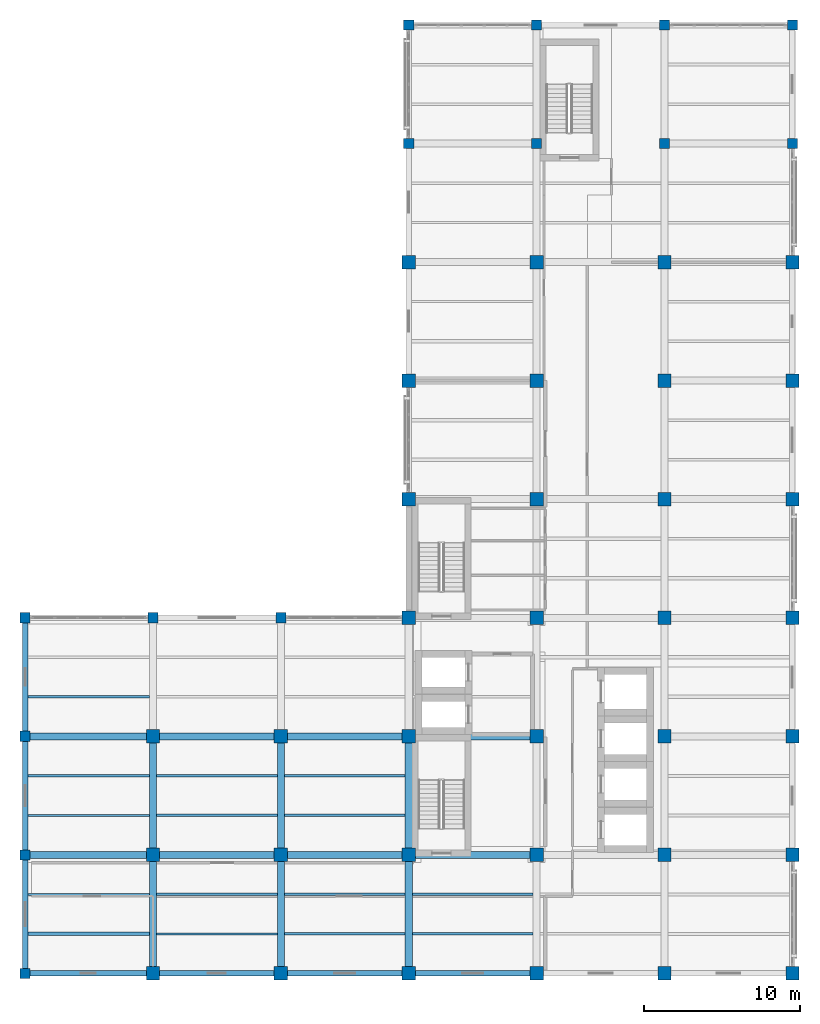
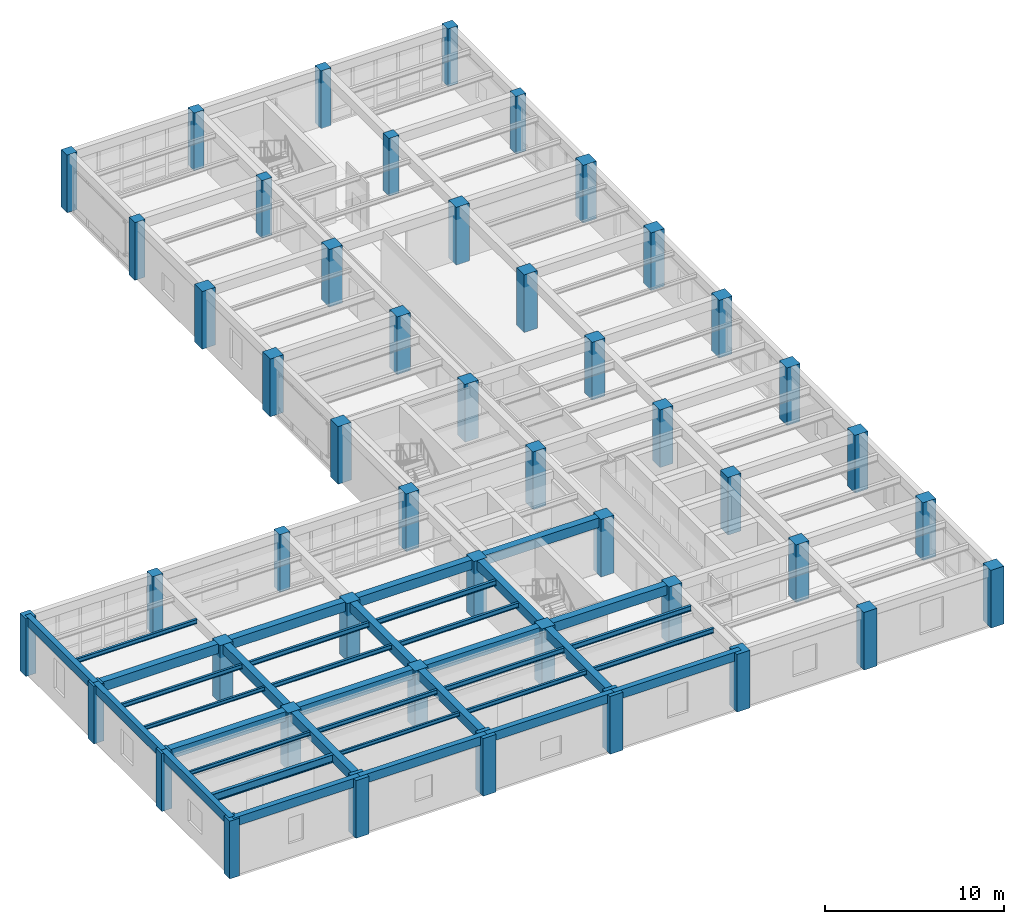
# One storey, part 1 of 17: 48 columns, 36 beams.
"""IFC4 building model written with IfcOpenShell, lengths in metres."""

from ifc_helpers import new_model, si_unit, direction, frame, origin, origin_2d, place, context, subcontext, project, spatial, rectangle, i_section, extrude, material, material_profile, profile_set, type_object, element, save


model = new_model("IFC4")

# Units and contexts
model_context = context("Model", 3, precision=1e-05, world=origin(), true_north=direction((0.0, 1.0)))
body_context = subcontext(model_context, "Body", "Model", "MODEL_VIEW")
ifc_project = project(units=[si_unit("LENGTHUNIT", "METRE"), si_unit("AREAUNIT", "SQUARE_METRE"), si_unit("VOLUMEUNIT", "CUBIC_METRE"), si_unit("PLANEANGLEUNIT", "RADIAN"), si_unit("MASSUNIT", "GRAM", prefix="KILO")], contexts=[model_context])

# Site, building, storey
site_placement = place(None, origin())
site = spatial("IfcSite", under=ifc_project, at=site_placement, CompositionType="ELEMENT")
building_placement = place(site_placement, origin())
building = spatial("IfcBuilding", under=site, at=building_placement, Name="Qandaris Square Conservatory and Botanical Centre", CompositionType="ELEMENT")
storey_placement = place(building_placement, frame((0.0, 0.0, 28.199951171875)))
storey = spatial("IfcBuildingStorey", under=building, at=storey_placement, Name="L06", CompositionType="ELEMENT", Elevation=28.199951171875)

# Columns
ifc_material_1 = material(Name="Concrete C50/60", Category="concrete")
ifc_material_profile_1 = material_profile(ifc_material_1, rectangle(XDim=0.64990234375, YDim=0.64990234375, at=origin_2d()), Name="RC-COL 650x650")
ifc_profile_set_1 = profile_set([ifc_material_profile_1], Name="Concrete C50/60")
column_type_1 = type_object("IfcColumnType", Name="RC Column 650x650", PredefinedType="COLUMN", material=ifc_profile_set_1)
for number, where, z_axis, x_axis, name in (
    (1, (114.60009765625, 16.60009765625, 0.0), (0.0, 0.0, 1.0), (1.0, 0.0, 0.0), "Column B14 (L06)"),
    (2, (114.60009765625, 24.199951171875, 0.0), (0.0, 0.0, 1.0), (1.0, 0.0, 0.0), "Column C14 (L06)"),
    (3, (114.60009765625, 31.800048828125, 0.0), (0.0, 0.0, 1.0), (1.0, 0.0, 0.0), "Column D14 (L06)"),
    (4, (114.60009765625, 39.39990234375, 0.0), (0.0, 0.0, 1.0), (1.0, 0.0, 0.0), "Column E14 (L06)"),
    (5, (122.800048828125, 39.39990234375, 0.0), (0.0, 0.0, 1.0), (1.0, 0.0, 0.0), "Column E15 (L06)"),
    (6, (131.0, 39.39990234375, 0.0), (0.0, 0.0, 1.0), (1.0, 0.0, 0.0), "Column E16 (L06)"),
    (7, (139.199951171875, 69.800048828125, 0.0), (0.0, 0.0, 1.0), (1.0, 0.0, 0.0), "Column J17 (L06)"),
    (8, (139.199951171875, 77.39990234375, 0.0), (0.0, 0.0, 1.0), (1.0, 0.0, 0.0), "Column K17 (L06)"),
    (9, (147.39990234375, 69.800048828125, 0.0), (0.0, 0.0, 1.0), (1.0, 0.0, 0.0), "Column J18 (L06)"),
    (10, (147.39990234375, 77.39990234375, 0.0), (0.0, 0.0, 1.0), (1.0, 0.0, 0.0), "Column K18 (L06)"),
    (11, (155.60009765625, 69.800048828125, 0.0), (0.0, 0.0, 1.0), (1.0, 0.0, 0.0), "Column J19 (L06)"),
    (12, (155.60009765625, 77.39990234375, 0.0), (0.0, 0.0, 1.0), (1.0, 0.0, 0.0), "Column K19 (L06)"),
    (13, (163.800048828125, 69.800048828125, 0.0), (0.0, 0.0, 1.0), (1.0, 0.0, 0.0), "Column J20 (L06)"),
    (14, (163.800048828125, 77.39990234375, 0.0), (0.0, 0.0, 1.0), (1.0, 0.0, 0.0), "Column K20 (L06)"),
):
    element("IfcColumn", number, at=place(storey_placement, frame(where, z_axis=z_axis, x_axis=x_axis)), inside=storey, type_object=column_type_1, Name=name, PredefinedType="COLUMN", context=body_context, shape_type="SweptSolid", body=[
        extrude(rectangle(XDim=0.64990234375, YDim=0.64990234375, at=origin_2d()), origin(), (0.0, 0.0, 1.0), 3.93994140625),
    ])
ifc_material_profile_2 = material_profile(ifc_material_1, rectangle(XDim=0.85009765625, YDim=0.85009765625, at=origin_2d()), Name="RC-COL 850x850")
ifc_profile_set_2 = profile_set([ifc_material_profile_2], Name="Concrete C50/60")
column_type_2 = type_object("IfcColumnType", Name="RC Column 850x850", PredefinedType="COLUMN", material=ifc_profile_set_2)
for number, where, z_axis, x_axis, name in (
    (15, (122.800048828125, 16.60009765625, 0.0), (0.0, 0.0, 1.0), (1.0, 0.0, 0.0), "Column B15 (L06)"),
    (16, (122.800048828125, 24.199951171875, 0.0), (0.0, 0.0, 1.0), (1.0, 0.0, 0.0), "Column C15 (L06)"),
    (17, (122.800048828125, 31.800048828125, 0.0), (0.0, 0.0, 1.0), (1.0, 0.0, 0.0), "Column D15 (L06)"),
    (18, (131.0, 16.60009765625, 0.0), (0.0, 0.0, 1.0), (1.0, 0.0, 0.0), "Column B16 (L06)"),
    (19, (131.0, 24.199951171875, 0.0), (0.0, 0.0, 1.0), (1.0, 0.0, 0.0), "Column C16 (L06)"),
    (20, (131.0, 31.800048828125, 0.0), (0.0, 0.0, 1.0), (1.0, 0.0, 0.0), "Column D16 (L06)"),
    (21, (139.199951171875, 16.60009765625, 0.0), (0.0, 0.0, 1.0), (1.0, 0.0, 0.0), "Column B17 (L06)"),
    (22, (139.199951171875, 24.199951171875, 0.0), (0.0, 0.0, 1.0), (1.0, 0.0, 0.0), "Column C17 (L06)"),
    (23, (139.199951171875, 31.800048828125, 0.0), (0.0, 0.0, 1.0), (1.0, 0.0, 0.0), "Column D17 (L06)"),
    (24, (139.199951171875, 39.39990234375, 0.0), (0.0, 0.0, 1.0), (1.0, 0.0, 0.0), "Column E17 (L06)"),
    (25, (139.199951171875, 47.0, 0.0), (0.0, 0.0, 1.0), (1.0, 0.0, 0.0), "Column F17 (L06)"),
    (26, (139.199951171875, 54.60009765625, 0.0), (0.0, 0.0, 1.0), (1.0, 0.0, 0.0), "Column G17 (L06)"),
    (27, (139.199951171875, 62.199951171875, 0.0), (0.0, 0.0, 1.0), (1.0, 0.0, 0.0), "Column H17 (L06)"),
    (28, (147.39990234375, 16.60009765625, 0.0), (0.0, 0.0, 1.0), (1.0, 0.0, 0.0), "Column B18 (L06)"),
    (29, (147.39990234375, 24.199951171875, 0.0), (0.0, 0.0, 1.0), (1.0, 0.0, 0.0), "Column C18 (L06)"),
    (30, (147.39990234375, 31.800048828125, 0.0), (0.0, 0.0, 1.0), (1.0, 0.0, 0.0), "Column D18 (L06)"),
    (31, (147.39990234375, 39.39990234375, 0.0), (0.0, 0.0, 1.0), (1.0, 0.0, 0.0), "Column E18 (L06)"),
    (32, (147.39990234375, 47.0, 0.0), (0.0, 0.0, 1.0), (1.0, 0.0, 0.0), "Column F18 (L06)"),
    (33, (147.39990234375, 54.60009765625, 0.0), (0.0, 0.0, 1.0), (1.0, 0.0, 0.0), "Column G18 (L06)"),
    (34, (147.39990234375, 62.199951171875, 0.0), (0.0, 0.0, 1.0), (1.0, 0.0, 0.0), "Column H18 (L06)"),
    (35, (155.60009765625, 16.60009765625, 0.0), (0.0, 0.0, 1.0), (1.0, 0.0, 0.0), "Column B19 (L06)"),
    (36, (155.60009765625, 24.199951171875, 0.0), (0.0, 0.0, 1.0), (1.0, 0.0, 0.0), "Column C19 (L06)"),
    (37, (155.60009765625, 31.800048828125, 0.0), (0.0, 0.0, 1.0), (1.0, 0.0, 0.0), "Column D19 (L06)"),
    (38, (155.60009765625, 39.39990234375, 0.0), (0.0, 0.0, 1.0), (1.0, 0.0, 0.0), "Column E19 (L06)"),
    (39, (155.60009765625, 47.0, 0.0), (0.0, 0.0, 1.0), (1.0, 0.0, 0.0), "Column F19 (L06)"),
    (40, (155.60009765625, 54.60009765625, 0.0), (0.0, 0.0, 1.0), (1.0, 0.0, 0.0), "Column G19 (L06)"),
    (41, (155.60009765625, 62.199951171875, 0.0), (0.0, 0.0, 1.0), (1.0, 0.0, 0.0), "Column H19 (L06)"),
    (42, (163.800048828125, 16.60009765625, 0.0), (0.0, 0.0, 1.0), (1.0, 0.0, 0.0), "Column B20 (L06)"),
    (43, (163.800048828125, 24.199951171875, 0.0), (0.0, 0.0, 1.0), (1.0, 0.0, 0.0), "Column C20 (L06)"),
    (44, (163.800048828125, 31.800048828125, 0.0), (0.0, 0.0, 1.0), (1.0, 0.0, 0.0), "Column D20 (L06)"),
    (45, (163.800048828125, 39.39990234375, 0.0), (0.0, 0.0, 1.0), (1.0, 0.0, 0.0), "Column E20 (L06)"),
    (46, (163.800048828125, 47.0, 0.0), (0.0, 0.0, 1.0), (1.0, 0.0, 0.0), "Column F20 (L06)"),
    (47, (163.800048828125, 54.60009765625, 0.0), (0.0, 0.0, 1.0), (1.0, 0.0, 0.0), "Column G20 (L06)"),
    (48, (163.800048828125, 62.199951171875, 0.0), (0.0, 0.0, 1.0), (1.0, 0.0, 0.0), "Column H20 (L06)"),
):
    element("IfcColumn", number, at=place(storey_placement, frame(where, z_axis=z_axis, x_axis=x_axis)), inside=storey, type_object=column_type_2, Name=name, PredefinedType="COLUMN", context=body_context, shape_type="SweptSolid", body=[
        extrude(rectangle(XDim=0.85009765625, YDim=0.85009765625, at=origin_2d()), origin(), (0.0, 0.0, 1.0), 3.93994140625),
    ])

# Beams
ifc_material_2 = material(Name="Steel S355", Category="steel")
ifc_material_profile_3 = material_profile(ifc_material_2, i_section(OverallWidth=0.14990234375, OverallDepth=0.300048828125, WebThickness=0.007080078125, FlangeThickness=0.0107421875, FilletRadius=0.014892578125, at=origin_2d()), Name="IPE 300")
ifc_profile_set_3 = profile_set([ifc_material_profile_3], Name="Steel S355")
beam_type_1 = type_object("IfcBeamType", Name="Composite Lab Joist IPE 300", PredefinedType="JOIST", material=ifc_profile_set_3)
for number, where, z_axis, x_axis, name in (
    (49, (114.77490234375, 29.2666015625, 3.780029296875), (1.0, 0.0, 0.0), (0.0, 1.0, 0.0), "L06 Composite Joist 2037"),
    (50, (114.77490234375, 34.333251953125, 3.780029296875), (1.0, 0.0, 0.0), (0.0, 1.0, 0.0), "L06 Composite Joist 2038"),
):
    element("IfcBeam", number, at=place(storey_placement, frame(where, z_axis=z_axis, x_axis=x_axis)), inside=storey, type_object=beam_type_1, Name=name, PredefinedType="JOIST", context=body_context, shape_type="SweptSolid", body=[
        extrude(i_section(OverallWidth=0.14990234375, OverallDepth=0.300048828125, WebThickness=0.007080078125, FlangeThickness=0.0107421875, FilletRadius=0.014892578125, at=origin_2d()), origin(), (0.0, 0.0, 1.0), 7.800048828125),
    ])
for number, where, z_axis, x_axis, name in (
    (51, (123.02490234375, 21.666748046875, 3.780029296875), (1.0, 0.0, 0.0), (0.0, 1.0, 0.0), "L06 Composite Joist 2041"),
    (52, (123.02490234375, 26.7333984375, 3.780029296875), (1.0, 0.0, 0.0), (0.0, 1.0, 0.0), "L06 Composite Joist 2042"),
    (53, (131.22509765625, 19.13330078125, 3.780029296875), (1.0, 0.0, 0.0), (0.0, 1.0, 0.0), "L06 Composite Joist 2046"),
):
    element("IfcBeam", number, at=place(storey_placement, frame(where, z_axis=z_axis, x_axis=x_axis)), inside=storey, type_object=beam_type_1, Name=name, PredefinedType="JOIST", context=body_context, shape_type="SweptSolid", body=[
        extrude(i_section(OverallWidth=0.14990234375, OverallDepth=0.300048828125, WebThickness=0.007080078125, FlangeThickness=0.0107421875, FilletRadius=0.014892578125, at=origin_2d()), origin(), (0.0, 0.0, 1.0), 7.75),
    ])
ifc_material_profile_4 = material_profile(ifc_material_2, i_section(OverallWidth=0.159912109375, OverallDepth=0.330078125, WebThickness=0.007568359375, FlangeThickness=0.011474609375, FilletRadius=0.01806640625, at=origin_2d()), Name="IPE 330")
ifc_profile_set_4 = profile_set([ifc_material_profile_4], Name="Steel S355")
beam_type_2 = type_object("IfcBeamType", Name="Composite Lab Joist IPE 330", PredefinedType="JOIST", material=ifc_profile_set_4)
for number, where, z_axis, x_axis, name in (
    (54, (123.02490234375, 29.2666015625, 3.76513671875), (1.0, 0.0, 0.0), (0.0, 1.0, 0.0), "L06 Composite Joist 2043"),
    (55, (131.22509765625, 21.666748046875, 3.76513671875), (1.0, 0.0, 0.0), (0.0, 1.0, 0.0), "L06 Composite Joist 2047"),
    (56, (131.22509765625, 26.7333984375, 3.76513671875), (1.0, 0.0, 0.0), (0.0, 1.0, 0.0), "L06 Composite Joist 2048"),
    (57, (139.425048828125, 19.13330078125, 3.76513671875), (1.0, 0.0, 0.0), (0.0, 1.0, 0.0), "L06 Composite Joist 2052"),
):
    element("IfcBeam", number, at=place(storey_placement, frame(where, z_axis=z_axis, x_axis=x_axis)), inside=storey, type_object=beam_type_2, Name=name, PredefinedType="JOIST", context=body_context, shape_type="SweptSolid", body=[
        extrude(i_section(OverallWidth=0.159912109375, OverallDepth=0.330078125, WebThickness=0.007568359375, FlangeThickness=0.011474609375, FilletRadius=0.01806640625, at=origin_2d()), origin(), (0.0, 0.0, 1.0), 7.75),
    ])
ifc_material_profile_5 = material_profile(ifc_material_2, i_section(OverallWidth=0.169921875, OverallDepth=0.360107421875, WebThickness=0.008056640625, FlangeThickness=0.0126953125, FilletRadius=0.01806640625, at=origin_2d()), Name="IPE 360")
ifc_profile_set_5 = profile_set([ifc_material_profile_5], Name="Steel S355")
beam_type_3 = type_object("IfcBeamType", Name="Composite Lab Joist IPE 360", PredefinedType="JOIST", material=ifc_profile_set_5)
for number, where, z_axis, x_axis, name in (
    (58, (131.22509765625, 29.2666015625, 3.75), (1.0, 0.0, 0.0), (0.0, 1.0, 0.0), "L06 Composite Joist 2049"),
    (59, (139.425048828125, 21.666748046875, 3.75), (1.0, 0.0, 0.0), (0.0, 1.0, 0.0), "L06 Composite Joist 2053"),
):
    element("IfcBeam", number, at=place(storey_placement, frame(where, z_axis=z_axis, x_axis=x_axis)), inside=storey, type_object=beam_type_3, Name=name, PredefinedType="JOIST", context=body_context, shape_type="SweptSolid", body=[
        extrude(i_section(OverallWidth=0.169921875, OverallDepth=0.360107421875, WebThickness=0.008056640625, FlangeThickness=0.0126953125, FilletRadius=0.01806640625, at=origin_2d()), origin(), (0.0, 0.0, 1.0), 7.75),
    ])
ifc_material_profile_6 = material_profile(ifc_material_2, i_section(OverallWidth=0.2099609375, OverallDepth=0.550048828125, WebThickness=0.010986328125, FlangeThickness=0.01708984375, FilletRadius=0.02392578125, at=origin_2d()), Name="IPE 550")
ifc_profile_set_6 = profile_set([ifc_material_profile_6], Name="Steel S355")
beam_type_4 = type_object("IfcBeamType", Name="Long-Span Foyer Joist IPE 550", PredefinedType="JOIST", material=ifc_profile_set_6)
beam_1_placement = place(storey_placement, frame((114.77490234375, 19.13330078125, 3.655029296875), z_axis=(1.0, 0.0, 0.0), x_axis=(0.0, 1.0, 0.0)))
element("IfcBeam", 60, at=beam_1_placement, inside=storey, type_object=beam_type_4, Name="L06 Composite Joist 2034", PredefinedType="JOIST", context=body_context, shape_type="SweptSolid", body=[
    extrude(i_section(OverallWidth=0.2099609375, OverallDepth=0.550048828125, WebThickness=0.010986328125, FlangeThickness=0.01708984375, FilletRadius=0.02392578125, at=origin_2d()), origin(), (0.0, 0.0, 1.0), 7.800048828125),
])
ifc_material_profile_7 = material_profile(ifc_material_1, rectangle(XDim=0.35009765625, YDim=0.60009765625, at=origin_2d()), Name="RC-SP 350x600")
ifc_profile_set_7 = profile_set([ifc_material_profile_7], Name="Concrete C50/60")
beam_type_5 = type_object("IfcBeamType", Name="RC Edge Spandrel Beam 350x600", PredefinedType="SPANDREL", material=ifc_profile_set_7)
for number, where, z_axis, x_axis, name in (
    (61, (114.60009765625, 16.60009765625, 3.64013671875), (1.0, 0.0, 0.0), (0.0, 1.0, 0.0), "L06 Frame Beam 1957"),
    (62, (122.800048828125, 16.60009765625, 3.64013671875), (1.0, 0.0, 0.0), (0.0, 1.0, 0.0), "L06 Frame Beam 1958"),
    (63, (131.0, 16.60009765625, 3.64013671875), (1.0, 0.0, 0.0), (0.0, 1.0, 0.0), "L06 Frame Beam 1959"),
    (64, (139.199951171875, 16.60009765625, 3.64013671875), (1.0, 0.0, 0.0), (0.0, 1.0, 0.0), "L06 Frame Beam 1960"),
):
    element("IfcBeam", number, at=place(storey_placement, frame(where, z_axis=z_axis, x_axis=x_axis)), inside=storey, type_object=beam_type_5, Name=name, PredefinedType="SPANDREL", context=body_context, shape_type="SweptSolid", body=[
        extrude(rectangle(XDim=0.35009765625, YDim=0.60009765625, at=origin_2d()), origin(), (0.0, 0.0, 1.0), 8.199951171875),
    ])
beam_2_placement = place(storey_placement, frame((114.60009765625, 16.60009765625, 3.64013671875), z_axis=(0.0, 1.0, 0.0), x_axis=(-1.0, 0.0, 0.0)))
element("IfcBeam", 65, at=beam_2_placement, inside=storey, type_object=beam_type_5, Name="L06 Frame Beam 1993", PredefinedType="SPANDREL", context=body_context, shape_type="SweptSolid", body=[
    extrude(rectangle(XDim=0.35009765625, YDim=0.60009765625, at=origin_2d()), origin(), (0.0, 0.0, 1.0), 7.599853515625),
])
beam_3_placement = place(storey_placement, frame((114.60009765625, 24.199951171875, 3.64013671875), z_axis=(0.0, 1.0, 0.0), x_axis=(-1.0, 0.0, 0.0)))
element("IfcBeam", 66, at=beam_3_placement, inside=storey, type_object=beam_type_5, Name="L06 Frame Beam 1994", PredefinedType="SPANDREL", context=body_context, shape_type="SweptSolid", body=[
    extrude(rectangle(XDim=0.35009765625, YDim=0.60009765625, at=origin_2d()), origin(), (0.0, 0.0, 1.0), 7.60009765625),
])
beam_4_placement = place(storey_placement, frame((114.60009765625, 31.800048828125, 3.64013671875), z_axis=(0.0, 1.0, 0.0), x_axis=(-1.0, 0.0, 0.0)))
element("IfcBeam", 67, at=beam_4_placement, inside=storey, type_object=beam_type_5, Name="L06 Frame Beam 1995", PredefinedType="SPANDREL", context=body_context, shape_type="SweptSolid", body=[
    extrude(rectangle(XDim=0.35009765625, YDim=0.60009765625, at=origin_2d()), origin(), (0.0, 0.0, 1.0), 7.599853515625),
])
ifc_material_profile_8 = material_profile(ifc_material_1, rectangle(XDim=0.449951171875, YDim=0.64990234375, at=origin_2d()), Name="RC-BM 450x650")
ifc_profile_set_8 = profile_set([ifc_material_profile_8], Name="Concrete C50/60")
beam_type_6 = type_object("IfcBeamType", Name="RC Floor Girder 450x650", PredefinedType="BEAM", material=ifc_profile_set_8)
for number, where, z_axis, x_axis, name in (
    (68, (114.60009765625, 24.199951171875, 3.614990234375), (1.0, 0.0, 0.0), (0.0, 1.0, 0.0), "L06 Frame Beam 1963"),
    (69, (122.800048828125, 24.199951171875, 3.614990234375), (1.0, 0.0, 0.0), (0.0, 1.0, 0.0), "L06 Frame Beam 1964"),
    (70, (131.0, 24.199951171875, 3.614990234375), (1.0, 0.0, 0.0), (0.0, 1.0, 0.0), "L06 Frame Beam 1965"),
    (71, (139.199951171875, 24.199951171875, 3.614990234375), (1.0, 0.0, 0.0), (0.0, 1.0, 0.0), "L06 Frame Beam 1966"),
    (72, (114.60009765625, 31.800048828125, 3.614990234375), (1.0, 0.0, 0.0), (0.0, 1.0, 0.0), "L06 Frame Beam 1969"),
    (73, (122.800048828125, 31.800048828125, 3.614990234375), (1.0, 0.0, 0.0), (0.0, 1.0, 0.0), "L06 Frame Beam 1970"),
    (74, (131.0, 31.800048828125, 3.614990234375), (1.0, 0.0, 0.0), (0.0, 1.0, 0.0), "L06 Frame Beam 1971"),
    (75, (139.199951171875, 31.800048828125, 3.614990234375), (1.0, 0.0, 0.0), (0.0, 1.0, 0.0), "L06 Frame Beam 1972"),
):
    element("IfcBeam", number, at=place(storey_placement, frame(where, z_axis=z_axis, x_axis=x_axis)), inside=storey, type_object=beam_type_6, Name=name, PredefinedType="BEAM", context=body_context, shape_type="SweptSolid", body=[
        extrude(rectangle(XDim=0.449951171875, YDim=0.64990234375, at=origin_2d()), origin(), (0.0, 0.0, 1.0), 8.199951171875),
    ])
beam_5_placement = place(storey_placement, frame((122.800048828125, 16.60009765625, 3.614990234375), z_axis=(0.0, 1.0, 0.0), x_axis=(-1.0, 0.0, 0.0)))
element("IfcBeam", 76, at=beam_5_placement, inside=storey, type_object=beam_type_6, Name="L06 Frame Beam 1996", PredefinedType="BEAM", context=body_context, shape_type="SweptSolid", body=[
    extrude(rectangle(XDim=0.449951171875, YDim=0.64990234375, at=origin_2d()), origin(), (0.0, 0.0, 1.0), 7.599853515625),
])
beam_6_placement = place(storey_placement, frame((122.800048828125, 24.199951171875, 3.614990234375), z_axis=(0.0, 1.0, 0.0), x_axis=(-1.0, 0.0, 0.0)))
element("IfcBeam", 77, at=beam_6_placement, inside=storey, type_object=beam_type_6, Name="L06 Frame Beam 1997", PredefinedType="BEAM", context=body_context, shape_type="SweptSolid", body=[
    extrude(rectangle(XDim=0.449951171875, YDim=0.64990234375, at=origin_2d()), origin(), (0.0, 0.0, 1.0), 7.60009765625),
])
beam_7_placement = place(storey_placement, frame((131.0, 16.60009765625, 3.614990234375), z_axis=(0.0, 1.0, 0.0), x_axis=(-1.0, 0.0, 0.0)))
element("IfcBeam", 78, at=beam_7_placement, inside=storey, type_object=beam_type_6, Name="L06 Frame Beam 1999", PredefinedType="BEAM", context=body_context, shape_type="SweptSolid", body=[
    extrude(rectangle(XDim=0.449951171875, YDim=0.64990234375, at=origin_2d()), origin(), (0.0, 0.0, 1.0), 7.599853515625),
])
beam_8_placement = place(storey_placement, frame((131.0, 24.199951171875, 3.614990234375), z_axis=(0.0, 1.0, 0.0), x_axis=(-1.0, 0.0, 0.0)))
element("IfcBeam", 79, at=beam_8_placement, inside=storey, type_object=beam_type_6, Name="L06 Frame Beam 2000", PredefinedType="BEAM", context=body_context, shape_type="SweptSolid", body=[
    extrude(rectangle(XDim=0.449951171875, YDim=0.64990234375, at=origin_2d()), origin(), (0.0, 0.0, 1.0), 7.60009765625),
])
beam_9_placement = place(storey_placement, frame((139.199951171875, 16.60009765625, 3.614990234375), z_axis=(0.0, 1.0, 0.0), x_axis=(-1.0, 0.0, 0.0)))
element("IfcBeam", 80, at=beam_9_placement, inside=storey, type_object=beam_type_6, Name="L06 Frame Beam 2002", PredefinedType="BEAM", context=body_context, shape_type="SweptSolid", body=[
    extrude(rectangle(XDim=0.449951171875, YDim=0.64990234375, at=origin_2d()), origin(), (0.0, 0.0, 1.0), 7.599853515625),
])
beam_10_placement = place(storey_placement, frame((139.199951171875, 24.199951171875, 3.614990234375), z_axis=(0.0, 1.0, 0.0), x_axis=(-1.0, 0.0, 0.0)))
element("IfcBeam", 81, at=beam_10_placement, inside=storey, type_object=beam_type_6, Name="L06 Frame Beam 2003", PredefinedType="BEAM", context=body_context, shape_type="SweptSolid", body=[
    extrude(rectangle(XDim=0.449951171875, YDim=0.64990234375, at=origin_2d()), origin(), (0.0, 0.0, 1.0), 7.60009765625),
])
ifc_material_profile_9 = material_profile(ifc_material_2, i_section(OverallWidth=0.135009765625, OverallDepth=0.27001953125, WebThickness=0.006591796875, FlangeThickness=0.01025390625, FilletRadius=0.014892578125, at=origin_2d()), Name="IPE 270")
ifc_profile_set_9 = profile_set([ifc_material_profile_9], Name="Steel S355")
beam_type_7 = type_object("IfcBeamType", Name="Steel Floor Joist IPE 270", PredefinedType="JOIST", material=ifc_profile_set_9)
for number, where, z_axis, x_axis, name in (
    (82, (114.77490234375, 21.666748046875, 3.795166015625), (1.0, 0.0, 0.0), (0.0, 1.0, 0.0), "L06 Composite Joist 2035"),
    (83, (114.77490234375, 26.7333984375, 3.795166015625), (1.0, 0.0, 0.0), (0.0, 1.0, 0.0), "L06 Composite Joist 2036"),
):
    element("IfcBeam", number, at=place(storey_placement, frame(where, z_axis=z_axis, x_axis=x_axis)), inside=storey, type_object=beam_type_7, Name=name, PredefinedType="JOIST", context=body_context, shape_type="SweptSolid", body=[
        extrude(i_section(OverallWidth=0.135009765625, OverallDepth=0.27001953125, WebThickness=0.006591796875, FlangeThickness=0.01025390625, FilletRadius=0.014892578125, at=origin_2d()), origin(), (0.0, 0.0, 1.0), 7.800048828125),
    ])
beam_11_placement = place(storey_placement, frame((123.02490234375, 19.13330078125, 3.795166015625), z_axis=(1.0, 0.0, 0.0), x_axis=(0.0, 1.0, 0.0)))
element("IfcBeam", 84, at=beam_11_placement, inside=storey, type_object=beam_type_7, Name="L06 Composite Joist 2040", PredefinedType="JOIST", context=body_context, shape_type="SweptSolid", body=[
    extrude(i_section(OverallWidth=0.135009765625, OverallDepth=0.27001953125, WebThickness=0.006591796875, FlangeThickness=0.01025390625, FilletRadius=0.014892578125, at=origin_2d()), origin(), (0.0, 0.0, 1.0), 7.75),
])

save(model, "model.ifc")
